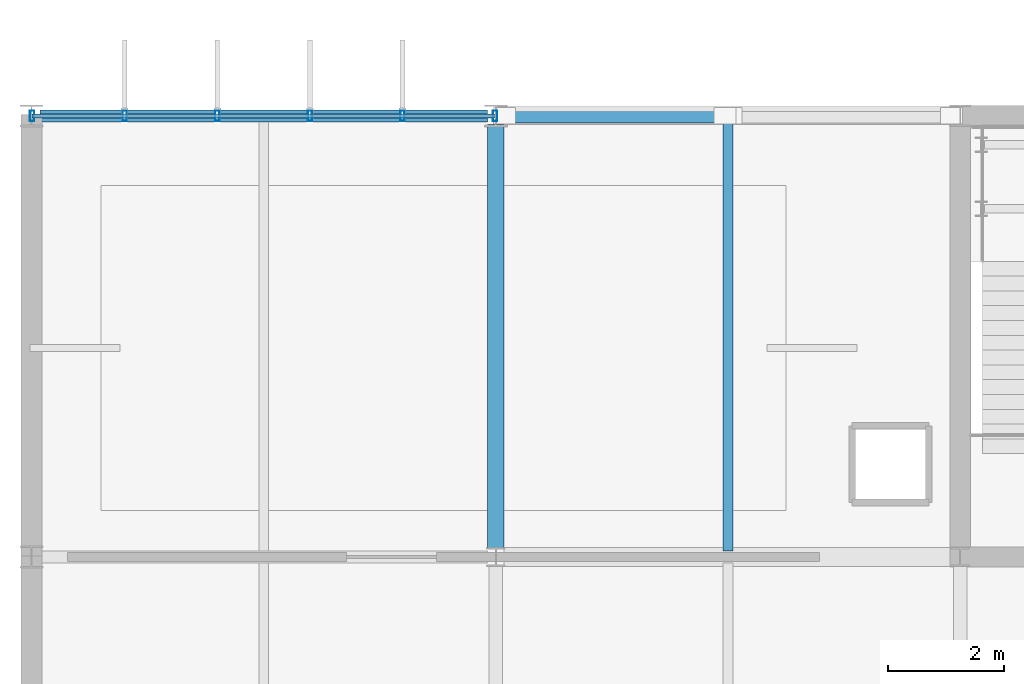
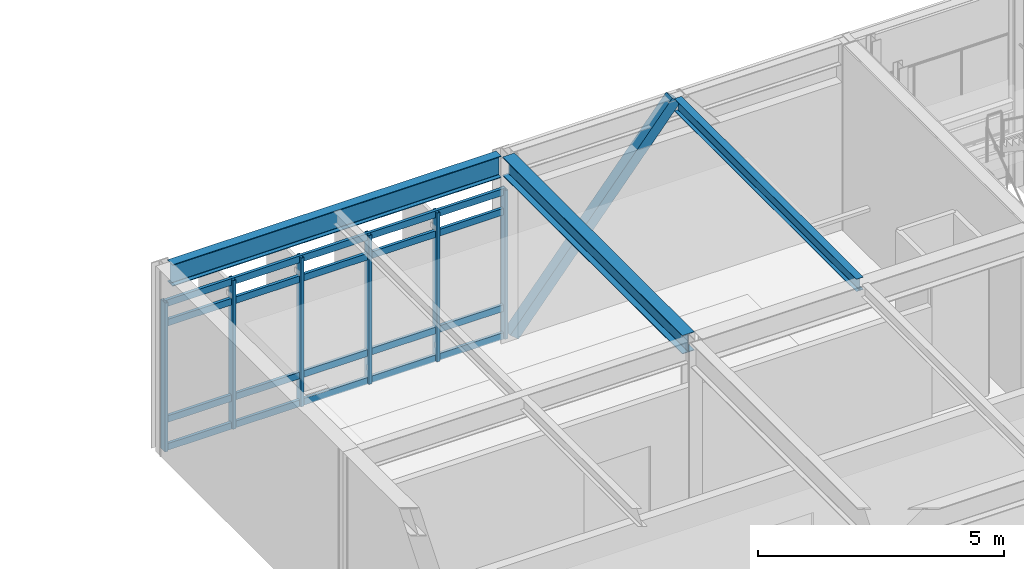
# One storey, part 25 of 100: 11 members, 3 beams, 1 element without a shape of its own.
"""IFC4 building model written with IfcOpenShell, lengths in metres."""

from ifc_helpers import new_model, si_unit, direction, frame, origin, origin_2d, place, context, subcontext, project, spatial, hollow_rectangle, i_section, extrude, material, material_profile, profile_set, type_object, element, aggregate, save


model = new_model("IFC4")

# Units and contexts
model_context = context("Model", 3, precision=1e-05, world=origin(), true_north=direction((0.0, 1.0)))
body_context = subcontext(model_context, "Body", "Model", "MODEL_VIEW")
ifc_project = project(units=[si_unit("LENGTHUNIT", "METRE"), si_unit("AREAUNIT", "SQUARE_METRE"), si_unit("VOLUMEUNIT", "CUBIC_METRE"), si_unit("PLANEANGLEUNIT", "RADIAN"), si_unit("MASSUNIT", "GRAM", prefix="KILO")], contexts=[model_context])

# Site, building, storey
site_placement = place(None, origin())
site = spatial("IfcSite", under=ifc_project, at=site_placement, CompositionType="ELEMENT")
building_placement = place(site_placement, origin())
building = spatial("IfcBuilding", under=site, at=building_placement, Name="Zulena Civic Courthouse", CompositionType="ELEMENT")
storey_placement = place(building_placement, frame((0.0, 0.0, 20.39990234375)))
storey = spatial("IfcBuildingStorey", under=building, at=storey_placement, Name="L04", CompositionType="ELEMENT", Elevation=20.39990234375)

# Member
ifc_material_1 = material(Name="Steel ASTM A500 Grade C", Category="steel")
ifc_material_profile_1 = material_profile(ifc_material_1, hollow_rectangle(XDim=0.25390625, YDim=0.25390625, WallThickness=0.01171875, at=origin_2d()), Name="HSS10X10X1/2")
ifc_profile_set_1 = profile_set([ifc_material_profile_1], Name="Steel ASTM A500 Grade C")
member_type_1 = type_object("IfcMemberType", Name="Brace_HSS10", PredefinedType="BRACE", material=ifc_profile_set_1)
member_1_placement = place(storey_placement, frame((12.14990234375, 22.800048828125, 0.010009765625), z_axis=(0.641014438311, 0.0, 0.767528820225), x_axis=(0.0, 1.0, 0.0)))
element("IfcMember", 1, at=member_1_placement, inside=storey, type_object=member_type_1, Name="brace:V2:L04:0:0", PredefinedType="BRACE", context=body_context, shape_type="SweptSolid", body=[
    extrude(hollow_rectangle(XDim=0.25390625, YDim=0.25390625, WallThickness=0.01171875, at=origin_2d()), origin(), (0.0, 0.0, 1.0), 5.92822265625),
])

# Curtain wall, members
ifc_material_2 = material(Name="Double-silver low-E laminated solar-control glass", Category="glass")
curtain_wall_type = type_object("IfcCurtainWallType", Name="CW_7976x3690", PredefinedType="USERDEFINED", material=ifc_material_2)
curtain_wall_placement = place(storey_placement, origin())
curtain_wall = element("IfcCurtainWall", 2, at=curtain_wall_placement, inside=storey, type_object=curtain_wall_type, Name="cw:V2:L04:1:0", ObjectType="UNITISED CURTAIN WALL", PredefinedType="USERDEFINED")
ifc_material_3 = material(Name="Bronze anodised thermally broken aluminium AA6063-T6", Category="aluminium")
ifc_material_profile_2 = material_profile(ifc_material_3, hollow_rectangle(XDim=0.074951171875, YDim=0.179931640625, WallThickness=0.0048828125, at=origin_2d()), Name="CWM180X75X5")
ifc_profile_set_2 = profile_set([ifc_material_profile_2], Name="Bronze anodised thermally broken aluminium AA6063-T6")
member_type_2 = type_object("IfcMemberType", Name="CWMullion_180x75", PredefinedType="MULLION", material=ifc_profile_set_2)
member_2_placement = place(storey_placement, frame((4.011962890625, 22.800048828125, 0.0), z_axis=(0.0, 0.0, 1.0), x_axis=(1.0, 0.0, 0.0)))
member_2 = element("IfcMember", 3, at=member_2_placement, type_object=member_type_2, Name="cw:V2:L04:1:0:mull:0", PredefinedType="MULLION", context=body_context, shape_type="SweptSolid", body=[
    extrude(hollow_rectangle(XDim=0.074951171875, YDim=0.179931640625, WallThickness=0.0048828125, at=origin_2d()), origin(), (0.0, 0.0, 1.0), 3.690185546875),
])
member_3_placement = place(storey_placement, frame((5.607177734375, 22.800048828125, 0.0), z_axis=(0.0, 0.0, 1.0), x_axis=(1.0, 0.0, 0.0)))
member_3 = element("IfcMember", 4, at=member_3_placement, type_object=member_type_2, Name="cw:V2:L04:1:0:mull:1", PredefinedType="MULLION", context=body_context, shape_type="SweptSolid", body=[
    extrude(hollow_rectangle(XDim=0.074951171875, YDim=0.179931640625, WallThickness=0.0048828125, at=origin_2d()), origin(), (0.0, 0.0, 1.0), 3.690185546875),
])
member_4_placement = place(storey_placement, frame((7.202392578125, 22.800048828125, 0.0), z_axis=(0.0, 0.0, 1.0), x_axis=(1.0, 0.0, 0.0)))
member_4 = element("IfcMember", 5, at=member_4_placement, type_object=member_type_2, Name="cw:V2:L04:1:0:mull:2", PredefinedType="MULLION", context=body_context, shape_type="SweptSolid", body=[
    extrude(hollow_rectangle(XDim=0.074951171875, YDim=0.179931640625, WallThickness=0.0048828125, at=origin_2d()), origin(), (0.0, 0.0, 1.0), 3.690185546875),
])
member_5_placement = place(storey_placement, frame((8.797607421875, 22.800048828125, 0.0), z_axis=(0.0, 0.0, 1.0), x_axis=(1.0, 0.0, 0.0)))
member_5 = element("IfcMember", 6, at=member_5_placement, type_object=member_type_2, Name="cw:V2:L04:1:0:mull:3", PredefinedType="MULLION", context=body_context, shape_type="SweptSolid", body=[
    extrude(hollow_rectangle(XDim=0.074951171875, YDim=0.179931640625, WallThickness=0.0048828125, at=origin_2d()), origin(), (0.0, 0.0, 1.0), 3.690185546875),
])
member_6_placement = place(storey_placement, frame((10.392822265625, 22.800048828125, 0.0), z_axis=(0.0, 0.0, 1.0), x_axis=(1.0, 0.0, 0.0)))
member_6 = element("IfcMember", 7, at=member_6_placement, type_object=member_type_2, Name="cw:V2:L04:1:0:mull:4", PredefinedType="MULLION", context=body_context, shape_type="SweptSolid", body=[
    extrude(hollow_rectangle(XDim=0.074951171875, YDim=0.179931640625, WallThickness=0.0048828125, at=origin_2d()), origin(), (0.0, 0.0, 1.0), 3.690185546875),
])
member_7_placement = place(storey_placement, frame((11.988037109375, 22.800048828125, 0.0), z_axis=(0.0, 0.0, 1.0), x_axis=(1.0, 0.0, 0.0)))
member_7 = element("IfcMember", 8, at=member_7_placement, type_object=member_type_2, Name="cw:V2:L04:1:0:mull:5", PredefinedType="MULLION", context=body_context, shape_type="SweptSolid", body=[
    extrude(hollow_rectangle(XDim=0.074951171875, YDim=0.179931640625, WallThickness=0.0048828125, at=origin_2d()), origin(), (0.0, 0.0, 1.0), 3.690185546875),
])
ifc_material_profile_3 = material_profile(ifc_material_3, hollow_rectangle(XDim=0.070068359375, YDim=0.1650390625, WallThickness=0.00390625, at=origin_2d()), Name="CWT165X70X4")
ifc_profile_set_3 = profile_set([ifc_material_profile_3], Name="Bronze anodised thermally broken aluminium AA6063-T6")
member_type_3 = type_object("IfcMemberType", Name="CWTransom_165x70", PredefinedType="USERDEFINED", material=ifc_profile_set_3)
member_8_placement = place(storey_placement, frame((4.011962890625, 22.800048828125, 0.06005859375), z_axis=(1.0, 0.0, 0.0), x_axis=(0.0, 1.0, 0.0)))
member_8 = element("IfcMember", 9, at=member_8_placement, type_object=member_type_3, Name="cw:V2:L04:1:0:tran:0", ObjectType="TRANSOM", PredefinedType="USERDEFINED", context=body_context, shape_type="SweptSolid", body=[
    extrude(hollow_rectangle(XDim=0.070068359375, YDim=0.1650390625, WallThickness=0.00390625, at=origin_2d()), origin(), (0.0, 0.0, 1.0), 7.97607421875),
])
member_9_placement = place(storey_placement, frame((4.011962890625, 22.800048828125, 0.75), z_axis=(1.0, 0.0, 0.0), x_axis=(0.0, 1.0, 0.0)))
member_9 = element("IfcMember", 10, at=member_9_placement, type_object=member_type_3, Name="cw:V2:L04:1:0:tran:1", ObjectType="TRANSOM", PredefinedType="USERDEFINED", context=body_context, shape_type="SweptSolid", body=[
    extrude(hollow_rectangle(XDim=0.070068359375, YDim=0.1650390625, WallThickness=0.00390625, at=origin_2d()), origin(), (0.0, 0.0, 1.0), 7.97607421875),
])
member_10_placement = place(storey_placement, frame((4.011962890625, 22.800048828125, 3.14013671875), z_axis=(1.0, 0.0, 0.0), x_axis=(0.0, 1.0, 0.0)))
member_10 = element("IfcMember", 11, at=member_10_placement, type_object=member_type_3, Name="cw:V2:L04:1:0:tran:2", ObjectType="TRANSOM", PredefinedType="USERDEFINED", context=body_context, shape_type="SweptSolid", body=[
    extrude(hollow_rectangle(XDim=0.070068359375, YDim=0.1650390625, WallThickness=0.00390625, at=origin_2d()), origin(), (0.0, 0.0, 1.0), 7.97607421875),
])
member_11_placement = place(storey_placement, frame((4.011962890625, 22.800048828125, 3.630126953125), z_axis=(1.0, 0.0, 0.0), x_axis=(0.0, 1.0, 0.0)))
member_11 = element("IfcMember", 12, at=member_11_placement, type_object=member_type_3, Name="cw:V2:L04:1:0:tran:3", ObjectType="TRANSOM", PredefinedType="USERDEFINED", context=body_context, shape_type="SweptSolid", body=[
    extrude(hollow_rectangle(XDim=0.070068359375, YDim=0.1650390625, WallThickness=0.00390625, at=origin_2d()), origin(), (0.0, 0.0, 1.0), 7.97607421875),
])
aggregate(curtain_wall, [member_2, member_3, member_4, member_5, member_6, member_7, member_8, member_9, member_10, member_11])

# Beams
ifc_material_4 = material(Name="Steel ASTM A992 Grade 50", Category="steel")
ifc_material_profile_4 = material_profile(ifc_material_4, i_section(OverallWidth=0.1650390625, OverallDepth=0.31005859375, WebThickness=0.005859375, FlangeThickness=0.009765625, FilletRadius=0.009765625, at=origin_2d()), Name="W12X26")
ifc_profile_set_4 = profile_set([ifc_material_profile_4], Name="Steel ASTM A992 Grade 50")
beam_type_1 = type_object("IfcBeamType", Name="Joist_W12X26", PredefinedType="JOIST", material=ifc_profile_set_4)
beam_1_placement = place(storey_placement, frame((16.0, 15.304931640625, 4.440185546875), z_axis=(0.0, 1.0, 0.0), x_axis=(-1.0, 0.0, 0.0)))
element("IfcBeam", 13, at=beam_1_placement, inside=storey, type_object=beam_type_1, Name="joist:V2:L04:16.00:15.2_22.8", PredefinedType="JOIST", context=body_context, shape_type="SweptSolid", body=[
    extrude(i_section(OverallWidth=0.1650390625, OverallDepth=0.31005859375, WebThickness=0.005859375, FlangeThickness=0.009765625, FilletRadius=0.009765625, at=origin_2d()), origin(), (0.0, 0.0, 1.0), 7.39013671875),
])
ifc_material_profile_5 = material_profile(ifc_material_4, i_section(OverallWidth=0.280029296875, OverallDepth=0.462890625, WebThickness=0.0107421875, FlangeThickness=0.017333984375, FilletRadius=0.01025390625, at=origin_2d()), Name="W18X76")
ifc_profile_set_5 = profile_set([ifc_material_profile_5], Name="Steel ASTM A992 Grade 50")
beam_type_2 = type_object("IfcBeamType", Name="Spandrel_W18X76", PredefinedType="SPANDREL", material=ifc_profile_set_5)
beam_2_placement = place(storey_placement, frame((12.0, 15.344970703125, 4.363525390625), z_axis=(0.0, 1.0, 0.0), x_axis=(-1.0, 0.0, 0.0)))
element("IfcBeam", 14, at=beam_2_placement, inside=storey, type_object=beam_type_2, Name="beam:Y:V2:L04:12.0:15.2_22.8", PredefinedType="SPANDREL", context=body_context, shape_type="SweptSolid", body=[
    extrude(i_section(OverallWidth=0.280029296875, OverallDepth=0.462890625, WebThickness=0.0107421875, FlangeThickness=0.017333984375, FilletRadius=0.01025390625, at=origin_2d()), origin(), (0.0, 0.0, 1.0), 7.31005859375),
])
ifc_material_profile_6 = material_profile(ifc_material_4, i_section(OverallWidth=0.2099609375, OverallDepth=0.537109375, WebThickness=0.010986328125, FlangeThickness=0.017333984375, FilletRadius=0.0126953125, at=origin_2d()), Name="W21X68")
ifc_profile_set_6 = profile_set([ifc_material_profile_6], Name="Steel ASTM A992 Grade 50")
beam_type_3 = type_object("IfcBeamType", Name="Spandrel_W21X68", PredefinedType="SPANDREL", material=ifc_profile_set_6)
beam_3_placement = place(storey_placement, frame((4.14501953125, 22.800048828125, 4.32666015625), z_axis=(1.0, 0.0, 0.0), x_axis=(0.0, 1.0, 0.0)))
element("IfcBeam", 15, at=beam_3_placement, inside=storey, type_object=beam_type_3, Name="beam:X:V2:L04:22.8:4.0_12.0", PredefinedType="SPANDREL", context=body_context, shape_type="SweptSolid", body=[
    extrude(i_section(OverallWidth=0.2099609375, OverallDepth=0.537109375, WebThickness=0.010986328125, FlangeThickness=0.017333984375, FilletRadius=0.0126953125, at=origin_2d()), origin(), (0.0, 0.0, 1.0), 7.7099609375),
])

save(model, "model.ifc")
